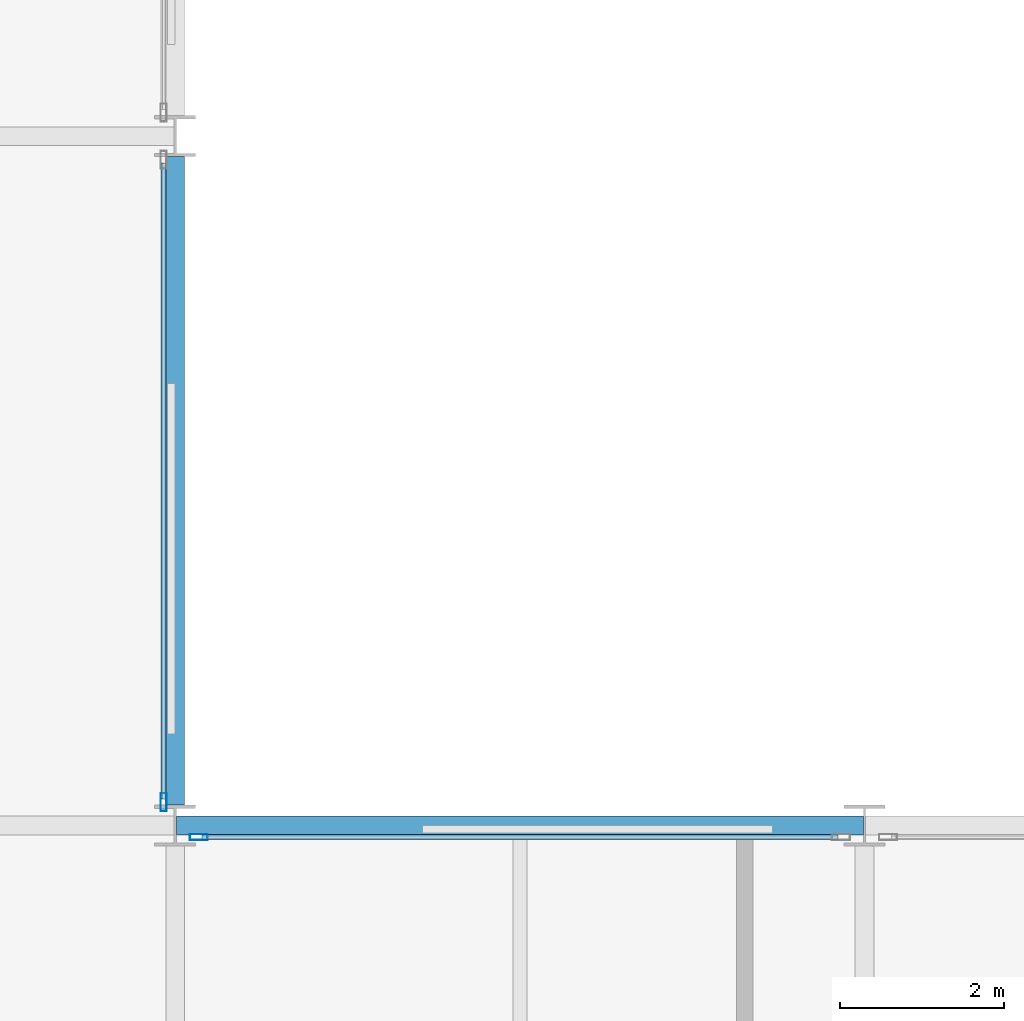
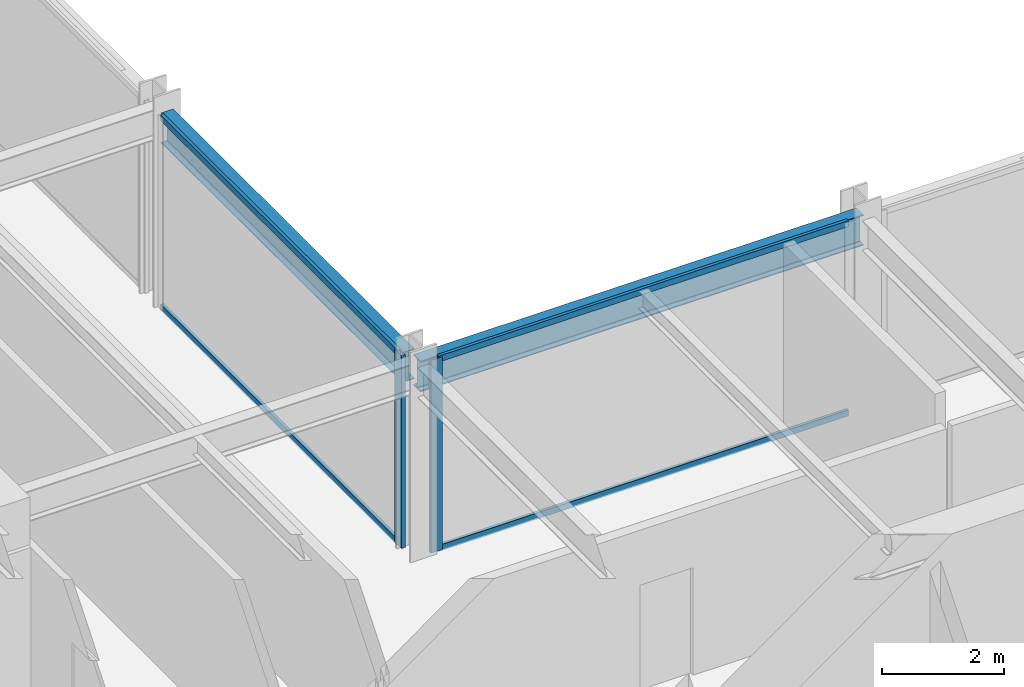
# One storey, part 10 of 26: 6 members, 2 beams, 2 elements without a shape of their own.
"""IFC4 building model written with IfcOpenShell, lengths in metres."""

from ifc_helpers import new_model, si_unit, direction, frame, origin, origin_2d, place, context, subcontext, project, spatial, hollow_rectangle, i_section, extrude, material, layer, layer_set, material_profile, profile_set, type_object, element, aggregate, save


model = new_model("IFC4")

# Units and contexts
model_context = context("Model", 3, precision=1e-05, world=origin(), true_north=direction((0.0, 1.0)))
body_context = subcontext(model_context, "Body", "Model", "MODEL_VIEW")
ifc_project = project(units=[si_unit("LENGTHUNIT", "METRE"), si_unit("AREAUNIT", "SQUARE_METRE"), si_unit("VOLUMEUNIT", "CUBIC_METRE"), si_unit("PLANEANGLEUNIT", "RADIAN"), si_unit("MASSUNIT", "GRAM", prefix="KILO")], contexts=[model_context])

# Site, building, storey
site_placement = place(None, origin())
site = spatial("IfcSite", under=ifc_project, at=site_placement, CompositionType="ELEMENT")
building_placement = place(site_placement, origin())
building = spatial("IfcBuilding", under=site, at=building_placement, Name="Nerrivon Quay Data Exchange", CompositionType="ELEMENT")
storey_placement = place(building_placement, frame((0.0, 0.0, 75.199951171875)))
storey = spatial("IfcBuildingStorey", under=building, at=storey_placement, Name="L17", CompositionType="ELEMENT", Elevation=75.199951171875)

# Beams
ifc_material_1 = material(Name="Steel Grade 350", Category="steel")
ifc_material_profile_1 = material_profile(ifc_material_1, i_section(OverallWidth=0.22900390625, OverallDepth=0.612060546875, WebThickness=0.011962890625, FlangeThickness=0.01953125, FilletRadius=0.013916015625, at=origin_2d()), Name="610UB125")
ifc_profile_set_1 = profile_set([ifc_material_profile_1], Name="Steel Grade 350")
beam_type_1 = type_object("IfcBeamType", Name="BM-G1-610UB125", PredefinedType="BEAM", material=ifc_profile_set_1)
beam_1_placement = place(storey_placement, frame((25.214111328125, 25.199951171875, 3.5439453125), z_axis=(1.0, 0.0, 0.0), x_axis=(0.0, 1.0, 0.0)))
element("IfcBeam", 1, at=beam_1_placement, inside=storey, type_object=beam_type_1, Name="L17 EW Girder Y=25.2 (25.2..33.6)", PredefinedType="BEAM", context=body_context, shape_type="SweptSolid", body=[
    extrude(i_section(OverallWidth=0.22900390625, OverallDepth=0.612060546875, WebThickness=0.011962890625, FlangeThickness=0.01953125, FilletRadius=0.013916015625, at=origin_2d()), origin(), (0.0, 0.0, 1.0), 8.371826171875),
])
ifc_material_profile_2 = material_profile(ifc_material_1, i_section(OverallWidth=0.22802734375, OverallDepth=0.60205078125, WebThickness=0.010498046875, FlangeThickness=0.014892578125, FilletRadius=0.013916015625, at=origin_2d()), Name="610UB101")
ifc_profile_set_2 = profile_set([ifc_material_profile_2], Name="Steel Grade 350")
beam_type_2 = type_object("IfcBeamType", Name="BM-G2-610UB101", PredefinedType="BEAM", material=ifc_profile_set_2)
beam_2_placement = place(storey_placement, frame((25.199951171875, 25.449951171875, 3.549072265625), z_axis=(0.0, 1.0, 0.0), x_axis=(-1.0, 0.0, 0.0)))
element("IfcBeam", 2, at=beam_2_placement, inside=storey, type_object=beam_type_2, Name="L17 NS Girder X=25.2 (25.2..33.6)", PredefinedType="BEAM", context=body_context, shape_type="SweptSolid", body=[
    extrude(i_section(OverallWidth=0.22802734375, OverallDepth=0.60205078125, WebThickness=0.010498046875, FlangeThickness=0.014892578125, FilletRadius=0.013916015625, at=origin_2d()), origin(), (0.0, 0.0, 1.0), 7.900146484375),
])

# Curtain wall, member
ifc_material_2 = material(Name="Anodised aluminium 6063-T6", Category="aluminium")
ifc_layer = layer(ifc_material_2, 0.219970703125)
ifc_layer_set = layer_set([ifc_layer], Name="Anodised aluminium 6063-T6")
curtain_wall_type = type_object("IfcCurtainWallType", Name="CW-SYS-01", PredefinedType="NOTDEFINED", material=ifc_layer_set)
curtain_wall_1_placement = place(storey_placement, origin())
curtain_wall_1 = element("IfcCurtainWall", 3, at=curtain_wall_1_placement, inside=storey, type_object=curtain_wall_type, Name="L17 Unitised Curtain Wall 31", PredefinedType="NOTDEFINED")
ifc_material_profile_3 = material_profile(ifc_material_2, hollow_rectangle(XDim=0.074951171875, YDim=0.219970703125, WallThickness=0.00390625, at=origin_2d()), Name="ALU-MULL-220x75")
ifc_profile_set_3 = profile_set([ifc_material_profile_3], Name="Anodised aluminium 6063-T6")
member_type_1 = type_object("IfcMemberType", Name="CWM-220x75", PredefinedType="MULLION", material=ifc_profile_set_3)
member_1_placement = place(storey_placement, frame((25.06005859375, 25.487548828125, 0.0), z_axis=(0.0, 0.0, 1.0), x_axis=(1.0, 0.0, 0.0)))
member_1 = element("IfcMember", 4, at=member_1_placement, type_object=member_type_1, Name="CW01 mullion 2", PredefinedType="MULLION", context=body_context, shape_type="SweptSolid", body=[
    extrude(hollow_rectangle(XDim=0.074951171875, YDim=0.219970703125, WallThickness=0.00390625, at=origin_2d()), origin(), (0.0, 0.0, 1.0), 3.85009765625),
])

curtain_wall_2_placement = place(storey_placement, origin())
curtain_wall_2 = element("IfcCurtainWall", 5, at=curtain_wall_2_placement, inside=storey, type_object=curtain_wall_type, Name="L17 Unitised Curtain Wall 32", PredefinedType="NOTDEFINED")
member_2_placement = place(storey_placement, frame((25.487548828125, 25.06005859375, 0.0), z_axis=(0.0, 0.0, 1.0), x_axis=(0.0, 1.0, 0.0)))
member_2 = element("IfcMember", 6, at=member_2_placement, type_object=member_type_1, Name="CW01 mullion 1", PredefinedType="MULLION", context=body_context, shape_type="SweptSolid", body=[
    extrude(hollow_rectangle(XDim=0.074951171875, YDim=0.219970703125, WallThickness=0.00390625, at=origin_2d()), origin(), (0.0, 0.0, 1.0), 3.85009765625),
])

# Member
ifc_material_profile_4 = material_profile(ifc_material_2, hollow_rectangle(XDim=0.06005859375, YDim=0.1201171875, WallThickness=0.003173828125, at=origin_2d()), Name="ALU-TRAN-120x60")
ifc_profile_set_4 = profile_set([ifc_material_profile_4], Name="Anodised aluminium 6063-T6")
member_type_2 = type_object("IfcMemberType", Name="CWT-120x60", PredefinedType="USERDEFINED", material=ifc_profile_set_4)
member_3_placement = place(storey_placement, frame((25.06005859375, 33.27490234375, 0.032470703125), z_axis=(0.0, -1.0, 0.0), x_axis=(1.0, 0.0, 0.0)))
member_3 = element("IfcMember", 7, at=member_3_placement, type_object=member_type_2, Name="CW01 transom 1.1", ObjectType="TRANSOM", PredefinedType="USERDEFINED", context=body_context, shape_type="SweptSolid", body=[
    extrude(hollow_rectangle(XDim=0.06005859375, YDim=0.1201171875, WallThickness=0.003173828125, at=origin_2d()), origin(), (0.0, 0.0, 1.0), 7.75),
])

member_4_placement = place(storey_placement, frame((25.06005859375, 33.27490234375, 3.817626953125), z_axis=(0.0, -1.0, 0.0), x_axis=(1.0, 0.0, 0.0)))
member_4 = element("IfcMember", 8, at=member_4_placement, type_object=member_type_2, Name="CW01 transom 1.2", ObjectType="TRANSOM", PredefinedType="USERDEFINED", context=body_context, shape_type="SweptSolid", body=[
    extrude(hollow_rectangle(XDim=0.06005859375, YDim=0.1201171875, WallThickness=0.003173828125, at=origin_2d()), origin(), (0.0, 0.0, 1.0), 7.75),
])

aggregate(curtain_wall_1, [member_1, member_3, member_4])

member_5_placement = place(storey_placement, frame((25.52490234375, 25.06005859375, 0.032470703125), z_axis=(1.0, 0.0, 0.0), x_axis=(0.0, 1.0, 0.0)))
member_5 = element("IfcMember", 9, at=member_5_placement, type_object=member_type_2, Name="CW01 transom 1.1", ObjectType="TRANSOM", PredefinedType="USERDEFINED", context=body_context, shape_type="SweptSolid", body=[
    extrude(hollow_rectangle(XDim=0.06005859375, YDim=0.1201171875, WallThickness=0.003173828125, at=origin_2d()), origin(), (0.0, 0.0, 1.0), 7.75),
])

member_6_placement = place(storey_placement, frame((25.52490234375, 25.06005859375, 3.817626953125), z_axis=(1.0, 0.0, 0.0), x_axis=(0.0, 1.0, 0.0)))
member_6 = element("IfcMember", 10, at=member_6_placement, type_object=member_type_2, Name="CW01 transom 1.2", ObjectType="TRANSOM", PredefinedType="USERDEFINED", context=body_context, shape_type="SweptSolid", body=[
    extrude(hollow_rectangle(XDim=0.06005859375, YDim=0.1201171875, WallThickness=0.003173828125, at=origin_2d()), origin(), (0.0, 0.0, 1.0), 7.75),
])

aggregate(curtain_wall_2, [member_2, member_5, member_6])

save(model, "model.ifc")
